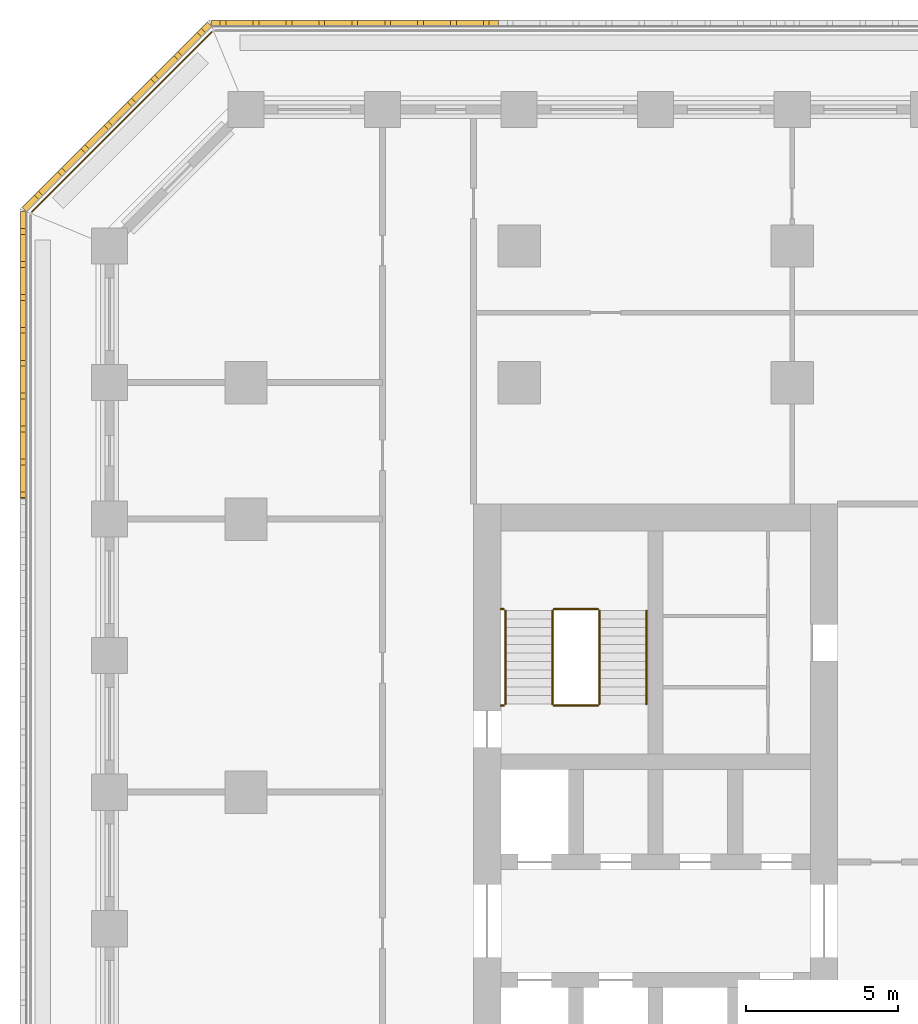
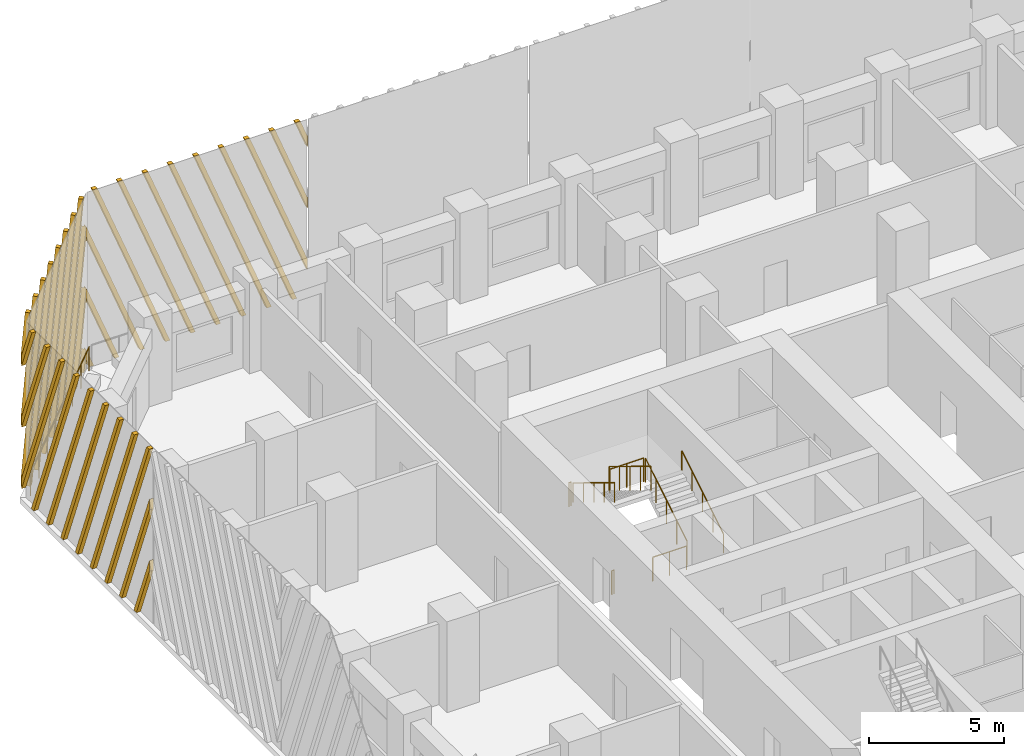
# One storey, part 15 of 19: 9 railings, 3 shading devices.
"""IFC4 building model written with IfcOpenShell, lengths in metres."""

from ifc_helpers import new_model, si_unit, direction, frame, origin, origin_2d, place, context, subcontext, project, spatial, polyline, circle, outline, extrude, source, transform, mapped, material, type_object, element, save


model = new_model("IFC4")

# Units and contexts
model_context = context("Model", 3, precision=1e-05, world=origin(), true_north=direction((0.0, 1.0)))
body_context = subcontext(model_context, "Body", "Model", "MODEL_VIEW")
ifc_project = project(units=[si_unit("LENGTHUNIT", "METRE"), si_unit("AREAUNIT", "SQUARE_METRE"), si_unit("VOLUMEUNIT", "CUBIC_METRE"), si_unit("PLANEANGLEUNIT", "RADIAN"), si_unit("MASSUNIT", "GRAM", prefix="KILO")], contexts=[model_context])

# Site, building, storey
site_placement = place(None, origin())
site = spatial("IfcSite", under=ifc_project, at=site_placement, CompositionType="ELEMENT")
building_placement = place(site_placement, origin())
building = spatial("IfcBuilding", under=site, at=building_placement, Name="Corbel Stack Research Tower", CompositionType="ELEMENT")
storey_placement = place(building_placement, frame((0.0, 0.0, 90.199951171875)))
storey = spatial("IfcBuildingStorey", under=building, at=storey_placement, Name="L20", CompositionType="ELEMENT", Elevation=90.199951171875)

# Railings
ifc_material_1 = material(Name="Steel S355", Category="steel")
railing_type_1 = type_object("IfcRailingType", Name="Stair guard 1100", PredefinedType="GUARDRAIL", material=ifc_material_1)
railing_1_placement = place(storey_placement, frame((-6.35009765625, 11.89990234375, 0.1708984375)))
element("IfcRailing", 1, at=railing_1_placement, inside=storey, type_object=railing_type_1, Name="L20 ST-W2 stair guard 1", PredefinedType="GUARDRAIL", context=body_context, shape_type="SweptSolid", body=[
    extrude(circle(Radius=0.02392578125, at=origin_2d()), frame((0.0, 0.0, 1.076171875), z_axis=(0.0, 0.853666305674, 0.52082035152), x_axis=(-1.0, 0.0, 0.0)), (0.0, 0.0, 1.0), 3.608154296875),
    extrude(circle(Radius=0.02099609375, at=origin_2d()), origin(), (0.0, 0.0, 1.0), 1.052001953125),
    extrude(circle(Radius=0.02099609375, at=origin_2d()), frame((0.0, 0.77001953125, 0.4697265625)), (0.0, 0.0, 1.0), 1.052001953125),
    extrude(circle(Radius=0.02099609375, at=origin_2d()), frame((0.0, 1.5400390625, 0.939453125)), (0.0, 0.0, 1.0), 1.052001953125),
    extrude(circle(Radius=0.02099609375, at=origin_2d()), frame((0.0, 2.31005859375, 1.409423828125)), (0.0, 0.0, 1.0), 1.052001953125),
    extrude(circle(Radius=0.02099609375, at=origin_2d()), frame((0.0, 3.080078125, 1.879150390625)), (0.0, 0.0, 1.0), 1.052001953125),
])
railing_2_placement = place(storey_placement, frame((-6.39990234375, 15.030029296875, 2.050048828125)))
element("IfcRailing", 2, at=railing_2_placement, inside=storey, type_object=railing_type_1, Name="L20 ST-W2 stair guard 2", PredefinedType="GUARDRAIL", context=body_context, shape_type="SweptSolid", body=[
    extrude(circle(Radius=0.02392578125, at=origin_2d()), frame((0.0, 0.0, 1.076171875), z_axis=(-1.0, 0.0, 0.0), x_axis=(0.0, -1.0, 0.0)), (0.0, 0.0, 1.0), 1.4501953125),
    extrude(circle(Radius=0.02099609375, at=origin_2d()), origin(), (0.0, 0.0, 1.0), 1.052001953125),
    extrude(circle(Radius=0.02099609375, at=origin_2d()), frame((-0.72509765625, 0.0, 0.0)), (0.0, 0.0, 1.0), 1.052001953125),
    extrude(circle(Radius=0.02099609375, at=origin_2d()), frame((-1.4501953125, 0.0, 0.0)), (0.0, 0.0, 1.0), 1.052001953125),
])
railing_3_placement = place(storey_placement, frame((-9.5, 15.030029296875, 2.050048828125)))
element("IfcRailing", 3, at=railing_3_placement, inside=storey, type_object=railing_type_1, Name="L20 ST-W2 stair guard 3", PredefinedType="GUARDRAIL", context=body_context, shape_type="SweptSolid", body=[
    extrude(circle(Radius=0.02392578125, at=origin_2d()), frame((0.0, 0.0, 1.076171875), z_axis=(-1.0, 0.0, 0.0), x_axis=(0.0, -1.0, 0.0)), (0.0, 0.0, 1.0), 0.10009765625),
    extrude(circle(Radius=0.02099609375, at=origin_2d()), origin(), (0.0, 0.0, 1.0), 1.052001953125),
    extrude(circle(Radius=0.02099609375, at=origin_2d()), frame((-0.10009765625, 0.0, 0.0)), (0.0, 0.0, 1.0), 1.052001953125),
])
railing_4_placement = place(storey_placement, frame((-7.89990234375, 14.97998046875, 2.220947265625)))
element("IfcRailing", 4, at=railing_4_placement, inside=storey, type_object=railing_type_1, Name="L20 ST-W2 stair guard 4", PredefinedType="GUARDRAIL", context=body_context, shape_type="SweptSolid", body=[
    extrude(circle(Radius=0.02392578125, at=origin_2d()), frame((0.0, 0.0, 1.076171875), z_axis=(0.0, -0.853666305674, 0.52082035152), x_axis=(1.0, 0.0, 0.0)), (0.0, 0.0, 1.0), 3.608154296875),
    extrude(circle(Radius=0.02099609375, at=origin_2d()), origin(), (0.0, 0.0, 1.0), 1.052001953125),
    extrude(circle(Radius=0.02099609375, at=origin_2d()), frame((0.0, -0.77001953125, 0.4697265625)), (0.0, 0.0, 1.0), 1.052001953125),
    extrude(circle(Radius=0.02099609375, at=origin_2d()), frame((0.0, -1.5400390625, 0.939453125)), (0.0, 0.0, 1.0), 1.052001953125),
    extrude(circle(Radius=0.02099609375, at=origin_2d()), frame((0.0, -2.31005859375, 1.409423828125)), (0.0, 0.0, 1.0), 1.052001953125),
    extrude(circle(Radius=0.02099609375, at=origin_2d()), frame((0.0, -3.080078125, 1.879150390625)), (0.0, 0.0, 1.0), 1.052001953125),
])
railing_5_placement = place(storey_placement, frame((-6.39990234375, 11.85009765625, 0.0)))
element("IfcRailing", 5, at=railing_5_placement, inside=storey, type_object=railing_type_1, Name="L20 ST-W2 stair guard 5", PredefinedType="GUARDRAIL", context=body_context, shape_type="SweptSolid", body=[
    extrude(circle(Radius=0.02392578125, at=origin_2d()), frame((0.0, 0.0, 1.076171875), z_axis=(-1.0, 0.0, 0.0), x_axis=(0.0, -1.0, 0.0)), (0.0, 0.0, 1.0), 1.4501953125),
    extrude(circle(Radius=0.02099609375, at=origin_2d()), origin(), (0.0, 0.0, 1.0), 1.052001953125),
    extrude(circle(Radius=0.02099609375, at=origin_2d()), frame((-0.72509765625, 0.0, 0.0)), (0.0, 0.0, 1.0), 1.052001953125),
    extrude(circle(Radius=0.02099609375, at=origin_2d()), frame((-1.4501953125, 0.0, 0.0)), (0.0, 0.0, 1.0), 1.052001953125),
])
railing_6_placement = place(storey_placement, frame((-9.5, 11.85009765625, 0.0)))
element("IfcRailing", 6, at=railing_6_placement, inside=storey, type_object=railing_type_1, Name="L20 ST-W2 stair guard 6", PredefinedType="GUARDRAIL", context=body_context, shape_type="SweptSolid", body=[
    extrude(circle(Radius=0.02392578125, at=origin_2d()), frame((0.0, 0.0, 1.076171875), z_axis=(-1.0, 0.0, 0.0), x_axis=(0.0, -1.0, 0.0)), (0.0, 0.0, 1.0), 0.10009765625),
    extrude(circle(Radius=0.02099609375, at=origin_2d()), origin(), (0.0, 0.0, 1.0), 1.052001953125),
    extrude(circle(Radius=0.02099609375, at=origin_2d()), frame((-0.10009765625, 0.0, 0.0)), (0.0, 0.0, 1.0), 1.052001953125),
])
ifc_material_2 = material(Name="Steel S355", Category="steel")
railing_type_2 = type_object("IfcRailingType", Name="Stair handrail 900", PredefinedType="HANDRAIL", material=ifc_material_2)
railing_7_placement = place(storey_placement, frame((-4.800048828125, 11.89990234375, 0.1708984375)))
element("IfcRailing", 7, at=railing_7_placement, inside=storey, type_object=railing_type_2, Name="L20 ST-W2 stair handrail 1", PredefinedType="HANDRAIL", context=body_context, shape_type="SweptSolid", body=[
    extrude(circle(Radius=0.02392578125, at=origin_2d()), frame((0.0, 0.0, 0.8759765625), z_axis=(0.0, 0.853666305674, 0.52082035152), x_axis=(-1.0, 0.0, 0.0)), (0.0, 0.0, 1.0), 3.608154296875),
    extrude(circle(Radius=0.02099609375, at=origin_2d()), origin(), (0.0, 0.0, 1.0), 0.851806640625),
    extrude(circle(Radius=0.02099609375, at=origin_2d()), frame((0.0, 0.77001953125, 0.4697265625)), (0.0, 0.0, 1.0), 0.851806640625),
    extrude(circle(Radius=0.02099609375, at=origin_2d()), frame((0.0, 1.5400390625, 0.939453125)), (0.0, 0.0, 1.0), 0.851806640625),
    extrude(circle(Radius=0.02099609375, at=origin_2d()), frame((0.0, 2.31005859375, 1.409423828125)), (0.0, 0.0, 1.0), 0.851806640625),
    extrude(circle(Radius=0.02099609375, at=origin_2d()), frame((0.0, 3.080078125, 1.879150390625)), (0.0, 0.0, 1.0), 0.851806640625),
])
railing_8_placement = place(storey_placement, frame((-9.449951171875, 14.97998046875, 2.220947265625)))
element("IfcRailing", 8, at=railing_8_placement, inside=storey, type_object=railing_type_2, Name="L20 ST-W2 stair handrail 2", PredefinedType="HANDRAIL", context=body_context, shape_type="SweptSolid", body=[
    extrude(circle(Radius=0.02392578125, at=origin_2d()), frame((0.0, 0.0, 0.8759765625), z_axis=(0.0, -0.853666305674, 0.52082035152), x_axis=(1.0, 0.0, 0.0)), (0.0, 0.0, 1.0), 3.608154296875),
    extrude(circle(Radius=0.02099609375, at=origin_2d()), origin(), (0.0, 0.0, 1.0), 0.851806640625),
    extrude(circle(Radius=0.02099609375, at=origin_2d()), frame((0.0, -0.77001953125, 0.4697265625)), (0.0, 0.0, 1.0), 0.851806640625),
    extrude(circle(Radius=0.02099609375, at=origin_2d()), frame((0.0, -1.5400390625, 0.939453125)), (0.0, 0.0, 1.0), 0.851806640625),
    extrude(circle(Radius=0.02099609375, at=origin_2d()), frame((0.0, -2.31005859375, 1.409423828125)), (0.0, 0.0, 1.0), 0.851806640625),
    extrude(circle(Radius=0.02099609375, at=origin_2d()), frame((0.0, -3.080078125, 1.879150390625)), (0.0, 0.0, 1.0), 0.851806640625),
])
ifc_material_3 = material(Name="Powder-coated steel guard", Category="steel")
railing_type_3 = type_object("IfcRailingType", Name="Steel and glass guard 1100", PredefinedType="GUARDRAIL", material=ifc_material_3)
railing_9_placement = place(storey_placement, frame((-19.127685546875, 34.04931640625, 0.0)))
element("IfcRailing", 9, at=railing_9_placement, inside=storey, type_object=railing_type_3, Name="Loggia guard L20 NW", PredefinedType="GUARDRAIL", context=body_context, shape_type="SweptSolid", body=[
    extrude(circle(Radius=0.02392578125, at=origin_2d()), frame((0.0, 0.0, 1.076171875), z_axis=(-0.707106781187, -0.707106781187, 0.0), x_axis=(0.707106781187, -0.707106781187, 0.0)), (0.0, 0.0, 1.0), 8.37451171875),
    extrude(circle(Radius=0.02099609375, at=origin_2d()), origin(), (0.0, 0.0, 1.0), 1.052001953125),
    extrude(circle(Radius=0.02099609375, at=origin_2d()), frame((-0.845947265625, -0.845947265625, 0.0)), (0.0, 0.0, 1.0), 1.052001953125),
    extrude(circle(Radius=0.02099609375, at=origin_2d()), frame((-1.69189453125, -1.69189453125, 0.0)), (0.0, 0.0, 1.0), 1.052001953125),
    extrude(circle(Radius=0.02099609375, at=origin_2d()), frame((-2.537841796875, -2.537841796875, 0.0)), (0.0, 0.0, 1.0), 1.052001953125),
    extrude(circle(Radius=0.02099609375, at=origin_2d()), frame((-3.3837890625, -3.3837890625, 0.0)), (0.0, 0.0, 1.0), 1.052001953125),
    extrude(circle(Radius=0.02099609375, at=origin_2d()), frame((-4.229736328125, -4.229736328125, 0.0)), (0.0, 0.0, 1.0), 1.052001953125),
    extrude(circle(Radius=0.02099609375, at=origin_2d()), frame((-5.07568359375, -5.07568359375, 0.0)), (0.0, 0.0, 1.0), 1.052001953125),
    extrude(circle(Radius=0.02099609375, at=origin_2d()), frame((-5.921630859375, -5.921630859375, 0.0)), (0.0, 0.0, 1.0), 1.052001953125),
])

# Shading devices
ifc_material_4 = material(Name="Precast terracotta", Category="masonry")
shading_device_type = type_object("IfcShadingDeviceType", Name="Terracotta screen panel", PredefinedType="USERDEFINED", material=ifc_material_4)
shared_shape_1 = source(origin(), body_context, "Body", "SweptSolid", [
    extrude(outline(polyline([(0.48828125, 7.949951171875), (0.298095703125, 7.949951171875), (0.0, 7.1865234375), (0.0, 6.699951171875), (0.48828125, 7.949951171875)])), frame((0.0, 0.0, 0.0), z_axis=(0.0, -1.0, 0.0), x_axis=(1.0, 0.0, 0.0)), (0.0, 0.0, 1.0), 0.179931640625),
    extrude(outline(polyline([(1.572998046875, 7.949951171875), (1.3828125, 7.949951171875), (0.0, 4.4091796875), (0.0, 3.922607421875), (1.572998046875, 7.949951171875)])), frame((0.0, 0.0, 0.0), z_axis=(0.0, -1.0, 0.0), x_axis=(1.0, 0.0, 0.0)), (0.0, 0.0, 1.0), 0.179931640625),
    extrude(outline(polyline([(2.657470703125, 7.949951171875), (2.467529296875, 7.949951171875), (0.0, 1.6318359375), (0.0, 1.1455078125), (2.657470703125, 7.949951171875)])), frame((0.0, 0.0, 0.0), z_axis=(0.0, -1.0, 0.0), x_axis=(1.0, 0.0, 0.0)), (0.0, 0.0, 1.0), 0.179931640625),
    extrude(outline(polyline([(0.63720703125, 0.0), (3.7421875, 7.949951171875), (3.55224609375, 7.949951171875), (0.447265625, 0.0), (0.63720703125, 0.0)])), frame((0.0, 0.0, 0.0), z_axis=(0.0, -1.0, 0.0), x_axis=(1.0, 0.0, 0.0)), (0.0, 0.0, 1.0), 0.179931640625),
    extrude(outline(polyline([(1.721923828125, 0.0), (4.826904296875, 7.949951171875), (4.636962890625, 7.949951171875), (1.531982421875, 0.0), (1.721923828125, 0.0)])), frame((0.0, 0.0, 0.0), z_axis=(0.0, -1.0, 0.0), x_axis=(1.0, 0.0, 0.0)), (0.0, 0.0, 1.0), 0.179931640625),
    extrude(outline(polyline([(2.806640625, 0.0), (5.91162109375, 7.949951171875), (5.721435546875, 7.949951171875), (2.61669921875, 0.0), (2.806640625, 0.0)])), frame((0.0, 0.0, 0.0), z_axis=(0.0, -1.0, 0.0), x_axis=(1.0, 0.0, 0.0)), (0.0, 0.0, 1.0), 0.179931640625),
    extrude(outline(polyline([(3.891357421875, 0.0), (6.99609375, 7.949951171875), (6.80615234375, 7.949951171875), (3.701416015625, 0.0), (3.891357421875, 0.0)])), frame((0.0, 0.0, 0.0), z_axis=(0.0, -1.0, 0.0), x_axis=(1.0, 0.0, 0.0)), (0.0, 0.0, 1.0), 0.179931640625),
    extrude(outline(polyline([(4.97607421875, 0.0), (8.080810546875, 7.949951171875), (7.890869140625, 7.949951171875), (4.785888671875, 0.0), (4.97607421875, 0.0)])), frame((0.0, 0.0, 0.0), z_axis=(0.0, -1.0, 0.0), x_axis=(1.0, 0.0, 0.0)), (0.0, 0.0, 1.0), 0.179931640625),
    extrude(outline(polyline([(6.060791015625, 0.0), (9.16552734375, 7.949951171875), (8.9755859375, 7.949951171875), (5.87060546875, 0.0), (6.060791015625, 0.0)])), frame((0.0, 0.0, 0.0), z_axis=(0.0, -1.0, 0.0), x_axis=(1.0, 0.0, 0.0)), (0.0, 0.0, 1.0), 0.179931640625),
    extrude(outline(polyline([(7.145263671875, 0.0), (9.45556640625, 5.91552734375), (9.45556640625, 6.402099609375), (6.955322265625, 0.0), (7.145263671875, 0.0)])), frame((0.0, 0.0, 0.0), z_axis=(0.0, -1.0, 0.0), x_axis=(1.0, 0.0, 0.0)), (0.0, 0.0, 1.0), 0.179931640625),
    extrude(outline(polyline([(8.22998046875, 0.0), (9.45556640625, 3.13818359375), (9.45556640625, 3.624755859375), (8.0400390625, 0.0), (8.22998046875, 0.0)])), frame((0.0, 0.0, 0.0), z_axis=(0.0, -1.0, 0.0), x_axis=(1.0, 0.0, 0.0)), (0.0, 0.0, 1.0), 0.179931640625),
    extrude(outline(polyline([(9.314697265625, 0.0), (9.45556640625, 0.361083984375), (9.45556640625, 0.847412109375), (9.124755859375, 0.0), (9.314697265625, 0.0)])), frame((0.0, 0.0, 0.0), z_axis=(0.0, -1.0, 0.0), x_axis=(1.0, 0.0, 0.0)), (0.0, 0.0, 1.0), 0.179931640625),
])
shading_device_1_placement = place(storey_placement, frame((-9.68359375, 34.25, 0.0), z_axis=(0.0, 0.0, 1.0), x_axis=(-1.0, 0.0, 0.0)))
element("IfcShadingDevice", 10, at=shading_device_1_placement, inside=storey, type_object=shading_device_type, Name="Terracotta screen L20 N5", ObjectType="SCREEN", PredefinedType="USERDEFINED", context=body_context, shape_type="MappedRepresentation", body=[
    mapped(shared_shape_1, transform((0.0, 0.0, 0.0))),
])
shared_shape_2 = source(origin(), body_context, "Body", "SweptSolid", [
    extrude(outline(polyline([(0.3310546875, 0.0), (0.0, 0.847412109375), (0.0, 0.361083984375), (0.14111328125, 0.0), (0.3310546875, 0.0)])), frame((0.0, 0.0, 0.0), z_axis=(0.0, -1.0, 0.0), x_axis=(1.0, 0.0, 0.0)), (0.0, 0.0, 1.0), 0.179931640625),
    extrude(outline(polyline([(1.41552734375, 0.0), (0.0, 3.624755859375), (0.0, 3.13818359375), (1.2255859375, 0.0), (1.41552734375, 0.0)])), frame((0.0, 0.0, 0.0), z_axis=(0.0, -1.0, 0.0), x_axis=(1.0, 0.0, 0.0)), (0.0, 0.0, 1.0), 0.179931640625),
    extrude(outline(polyline([(2.500244140625, 0.0), (0.0, 6.402099609375), (0.0, 5.91552734375), (2.310302734375, 0.0), (2.500244140625, 0.0)])), frame((0.0, 0.0, 0.0), z_axis=(0.0, -1.0, 0.0), x_axis=(1.0, 0.0, 0.0)), (0.0, 0.0, 1.0), 0.179931640625),
    extrude(outline(polyline([(3.5849609375, 0.0), (0.47998046875, 7.949951171875), (0.2900390625, 7.949951171875), (3.39501953125, 0.0), (3.5849609375, 0.0)])), frame((0.0, 0.0, 0.0), z_axis=(0.0, -1.0, 0.0), x_axis=(1.0, 0.0, 0.0)), (0.0, 0.0, 1.0), 0.179931640625),
    extrude(outline(polyline([(4.669677734375, 0.0), (1.564697265625, 7.949951171875), (1.374755859375, 7.949951171875), (4.4794921875, 0.0), (4.669677734375, 0.0)])), frame((0.0, 0.0, 0.0), z_axis=(0.0, -1.0, 0.0), x_axis=(1.0, 0.0, 0.0)), (0.0, 0.0, 1.0), 0.179931640625),
    extrude(outline(polyline([(5.75439453125, 0.0), (2.6494140625, 7.949951171875), (2.45947265625, 7.949951171875), (5.564208984375, 0.0), (5.75439453125, 0.0)])), frame((0.0, 0.0, 0.0), z_axis=(0.0, -1.0, 0.0), x_axis=(1.0, 0.0, 0.0)), (0.0, 0.0, 1.0), 0.179931640625),
    extrude(outline(polyline([(6.839111328125, 0.0), (3.734130859375, 7.949951171875), (3.544189453125, 7.949951171875), (6.64892578125, 0.0), (6.839111328125, 0.0)])), frame((0.0, 0.0, 0.0), z_axis=(0.0, -1.0, 0.0), x_axis=(1.0, 0.0, 0.0)), (0.0, 0.0, 1.0), 0.179931640625),
    extrude(outline(polyline([(7.923583984375, 0.0), (4.81884765625, 7.949951171875), (4.62890625, 7.949951171875), (7.733642578125, 0.0), (7.923583984375, 0.0)])), frame((0.0, 0.0, 0.0), z_axis=(0.0, -1.0, 0.0), x_axis=(1.0, 0.0, 0.0)), (0.0, 0.0, 1.0), 0.179931640625),
    extrude(outline(polyline([(5.903564453125, 7.949951171875), (5.71337890625, 7.949951171875), (8.64208984375, 0.451171875), (8.64208984375, 0.9375), (5.903564453125, 7.949951171875)])), frame((0.0, 0.0, 0.0), z_axis=(0.0, -1.0, 0.0), x_axis=(1.0, 0.0, 0.0)), (0.0, 0.0, 1.0), 0.179931640625),
    extrude(outline(polyline([(6.988037109375, 7.949951171875), (6.798095703125, 7.949951171875), (8.64208984375, 3.228515625), (8.64208984375, 3.71484375), (6.988037109375, 7.949951171875)])), frame((0.0, 0.0, 0.0), z_axis=(0.0, -1.0, 0.0), x_axis=(1.0, 0.0, 0.0)), (0.0, 0.0, 1.0), 0.179931640625),
    extrude(outline(polyline([(8.07275390625, 7.949951171875), (7.8828125, 7.949951171875), (8.64208984375, 6.005615234375), (8.64208984375, 6.4921875), (8.07275390625, 7.949951171875)])), frame((0.0, 0.0, 0.0), z_axis=(0.0, -1.0, 0.0), x_axis=(1.0, 0.0, 0.0)), (0.0, 0.0, 1.0), 0.179931640625),
])
shading_device_2_placement = place(storey_placement, frame((-19.13916015625, 34.25, 0.0), z_axis=(0.0, 0.0, 1.0), x_axis=(-0.707106781187, -0.707106781187, 0.0)))
element("IfcShadingDevice", 11, at=shading_device_2_placement, inside=storey, type_object=shading_device_type, Name="Terracotta screen L20 NW1", ObjectType="SCREEN", PredefinedType="USERDEFINED", context=body_context, shape_type="MappedRepresentation", body=[
    mapped(shared_shape_2, transform((0.0, 0.0, 0.0))),
])
shared_shape_3 = source(origin(), body_context, "Body", "SweptSolid", [
    extrude(outline(polyline([(0.759521484375, 7.949951171875), (0.5693359375, 7.949951171875), (0.0, 6.4921875), (0.0, 6.005615234375), (0.759521484375, 7.949951171875)])), frame((0.0, 0.0, 0.0), z_axis=(0.0, -1.0, 0.0), x_axis=(1.0, 0.0, 0.0)), (0.0, 0.0, 1.0), 0.179931640625),
    extrude(outline(polyline([(1.843994140625, 7.949951171875), (1.654052734375, 7.949951171875), (0.0, 3.71484375), (0.0, 3.228515625), (1.843994140625, 7.949951171875)])), frame((0.0, 0.0, 0.0), z_axis=(0.0, -1.0, 0.0), x_axis=(1.0, 0.0, 0.0)), (0.0, 0.0, 1.0), 0.179931640625),
    extrude(outline(polyline([(2.9287109375, 7.949951171875), (2.73876953125, 7.949951171875), (0.0, 0.9375), (0.0, 0.451171875), (2.9287109375, 7.949951171875)])), frame((0.0, 0.0, 0.0), z_axis=(0.0, -1.0, 0.0), x_axis=(1.0, 0.0, 0.0)), (0.0, 0.0, 1.0), 0.179931640625),
    extrude(outline(polyline([(0.908447265625, 0.0), (4.013427734375, 7.949951171875), (3.823486328125, 7.949951171875), (0.718505859375, 0.0), (0.908447265625, 0.0)])), frame((0.0, 0.0, 0.0), z_axis=(0.0, -1.0, 0.0), x_axis=(1.0, 0.0, 0.0)), (0.0, 0.0, 1.0), 0.179931640625),
    extrude(outline(polyline([(1.9931640625, 0.0), (5.097900390625, 7.949951171875), (4.907958984375, 7.949951171875), (1.80322265625, 0.0), (1.9931640625, 0.0)])), frame((0.0, 0.0, 0.0), z_axis=(0.0, -1.0, 0.0), x_axis=(1.0, 0.0, 0.0)), (0.0, 0.0, 1.0), 0.179931640625),
    extrude(outline(polyline([(3.077880859375, 0.0), (6.1826171875, 7.949951171875), (5.99267578125, 7.949951171875), (2.8876953125, 0.0), (3.077880859375, 0.0)])), frame((0.0, 0.0, 0.0), z_axis=(0.0, -1.0, 0.0), x_axis=(1.0, 0.0, 0.0)), (0.0, 0.0, 1.0), 0.179931640625),
    extrude(outline(polyline([(4.16259765625, 0.0), (7.267333984375, 7.949951171875), (7.077392578125, 7.949951171875), (3.972412109375, 0.0), (4.16259765625, 0.0)])), frame((0.0, 0.0, 0.0), z_axis=(0.0, -1.0, 0.0), x_axis=(1.0, 0.0, 0.0)), (0.0, 0.0, 1.0), 0.179931640625),
    extrude(outline(polyline([(5.247314453125, 0.0), (8.35205078125, 7.949951171875), (8.162109375, 7.949951171875), (5.05712890625, 0.0), (5.247314453125, 0.0)])), frame((0.0, 0.0, 0.0), z_axis=(0.0, -1.0, 0.0), x_axis=(1.0, 0.0, 0.0)), (0.0, 0.0, 1.0), 0.179931640625),
    extrude(outline(polyline([(6.331787109375, 0.0), (9.436767578125, 7.949951171875), (9.24658203125, 7.949951171875), (6.141845703125, 0.0), (6.331787109375, 0.0)])), frame((0.0, 0.0, 0.0), z_axis=(0.0, -1.0, 0.0), x_axis=(1.0, 0.0, 0.0)), (0.0, 0.0, 1.0), 0.179931640625),
    extrude(outline(polyline([(7.41650390625, 0.0), (9.45556640625, 5.22119140625), (9.45556640625, 5.707763671875), (7.2265625, 0.0), (7.41650390625, 0.0)])), frame((0.0, 0.0, 0.0), z_axis=(0.0, -1.0, 0.0), x_axis=(1.0, 0.0, 0.0)), (0.0, 0.0, 1.0), 0.179931640625),
    extrude(outline(polyline([(8.501220703125, 0.0), (9.45556640625, 2.44384765625), (9.45556640625, 2.930419921875), (8.311279296875, 0.0), (8.501220703125, 0.0)])), frame((0.0, 0.0, 0.0), z_axis=(0.0, -1.0, 0.0), x_axis=(1.0, 0.0, 0.0)), (0.0, 0.0, 1.0), 0.179931640625),
])
shading_device_3_placement = place(storey_placement, frame((-25.25, 28.13916015625, 0.0), z_axis=(0.0, 0.0, 1.0), x_axis=(0.0, -1.0, 0.0)))
element("IfcShadingDevice", 12, at=shading_device_3_placement, inside=storey, type_object=shading_device_type, Name="Terracotta screen L20 W1", ObjectType="SCREEN", PredefinedType="USERDEFINED", context=body_context, shape_type="MappedRepresentation", body=[
    mapped(shared_shape_3, transform((0.0, 0.0, 0.0))),
])

save(model, "model.ifc")
